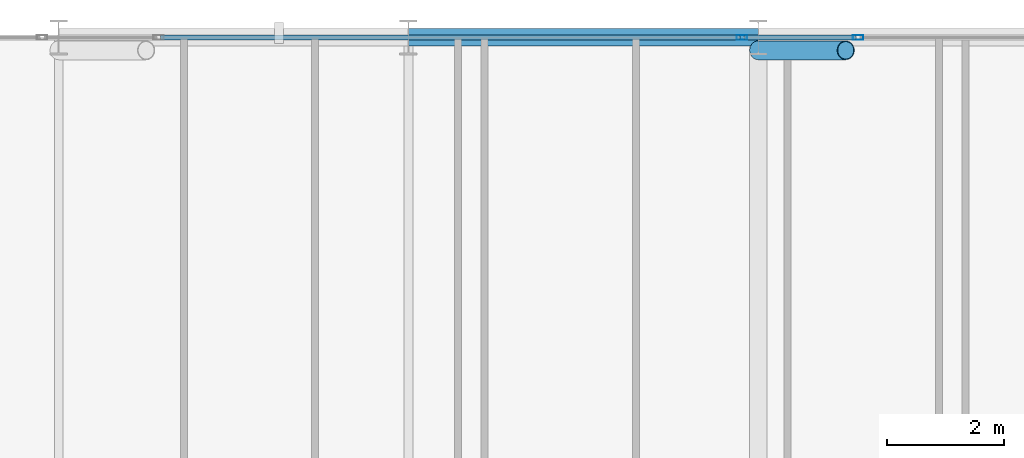
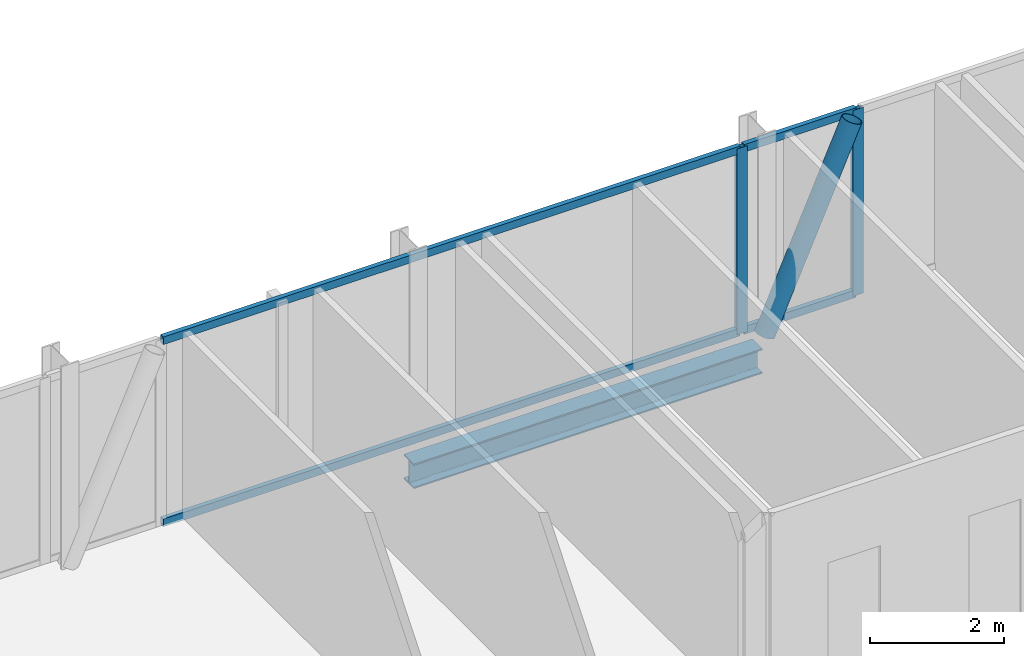
# One storey, part 17 of 30: 7 members, 1 beam, 2 elements without a shape of their own.
"""IFC4 building model written with IfcOpenShell, lengths in metres."""

from ifc_helpers import new_model, si_unit, direction, frame, origin, origin_2d, place, context, subcontext, project, spatial, hollow_rectangle, hollow_circle, i_section, extrude, material, layer, layer_set, material_profile, profile_set, type_object, element, aggregate, save


model = new_model("IFC4")

# Units and contexts
model_context = context("Model", 3, precision=1e-05, world=origin(), true_north=direction((0.0, 1.0)))
body_context = subcontext(model_context, "Body", "Model", "MODEL_VIEW")
ifc_project = project(units=[si_unit("LENGTHUNIT", "METRE"), si_unit("AREAUNIT", "SQUARE_METRE"), si_unit("VOLUMEUNIT", "CUBIC_METRE"), si_unit("PLANEANGLEUNIT", "RADIAN"), si_unit("MASSUNIT", "GRAM", prefix="KILO")], contexts=[model_context])

# Site, building, storey
site_placement = place(None, origin())
site = spatial("IfcSite", under=ifc_project, at=site_placement, CompositionType="ELEMENT")
building_placement = place(site_placement, origin())
building = spatial("IfcBuilding", under=site, at=building_placement, Name="Keshet Zoharim Tower", CompositionType="ELEMENT")
storey_placement = place(building_placement, frame((0.0, 0.0, 109.39990234375)))
storey = spatial("IfcBuildingStorey", under=building, at=storey_placement, Name="L26", CompositionType="ELEMENT", Elevation=109.39990234375)

# Beam
ifc_material_1 = material(Name="Steel S355", Category="steel")
ifc_material_profile_1 = material_profile(ifc_material_1, i_section(OverallWidth=0.300048828125, OverallDepth=0.449951171875, WebThickness=0.013916015625, FlangeThickness=0.02587890625, FilletRadius=0.027099609375, at=origin_2d()), Name="HEB450")
ifc_profile_set_1 = profile_set([ifc_material_profile_1], Name="Steel S355")
beam_type = type_object("IfcBeamType", Name="BM-WEB-HB450", PredefinedType="BEAM", material=ifc_profile_set_1)
beam_placement = place(storey_placement, frame((27.0, 53.89990234375, -0.539794921875), z_axis=(1.0, 0.0, 0.0), x_axis=(0.0, 1.0, 0.0)))
element("IfcBeam", 1, at=beam_placement, inside=storey, type_object=beam_type, Name="L26 Primary Girder X-020", PredefinedType="BEAM", context=body_context, shape_type="SweptSolid", body=[
    extrude(i_section(OverallWidth=0.300048828125, OverallDepth=0.449951171875, WebThickness=0.013916015625, FlangeThickness=0.02587890625, FilletRadius=0.027099609375, at=origin_2d()), origin(), (0.0, 0.0, 1.0), 6.0),
])

# Curtain wall, member
ifc_material_2 = material(Name="Aluminium 6063-T6", Category="aluminium")
ifc_layer = layer(ifc_material_2, 0.159912109375)
ifc_layer_set = layer_set([ifc_layer], Name="Aluminium 6063-T6")
curtain_wall_type = type_object("IfcCurtainWallType", Name="CW-SYS-03", PredefinedType="NOTDEFINED", material=ifc_layer_set)
curtain_wall_1_placement = place(storey_placement, origin())
curtain_wall_1 = element("IfcCurtainWall", 2, at=curtain_wall_1_placement, inside=storey, type_object=curtain_wall_type, Name="L26 Unitised Curtain Wall 13 Part 3", PredefinedType="NOTDEFINED")
ifc_material_profile_2 = material_profile(ifc_material_2, hollow_rectangle(XDim=0.080078125, YDim=0.179931640625, WallThickness=0.00439453125, at=origin_2d()), Name="MUL-80x180")
ifc_profile_set_2 = profile_set([ifc_material_profile_2], Name="Aluminium 6063-T6")
member_type_1 = type_object("IfcMemberType", Name="CWM-M18", PredefinedType="MULLION", material=ifc_profile_set_2)
member_1_placement = place(storey_placement, frame((32.716796875, 53.89990234375, 0.0), z_axis=(0.0, 0.0, 1.0), x_axis=(0.0, 1.0, 0.0)))
member_1 = element("IfcMember", 3, at=member_1_placement, type_object=member_type_1, Name="CW-03 mullion 2", PredefinedType="MULLION", context=body_context, shape_type="SweptSolid", body=[
    extrude(hollow_rectangle(XDim=0.080078125, YDim=0.179931640625, WallThickness=0.00439453125, at=origin_2d()), origin(), (0.0, 0.0, 1.0), 3.385009765625),
])

curtain_wall_2_placement = place(storey_placement, origin())
curtain_wall_2 = element("IfcCurtainWall", 4, at=curtain_wall_2_placement, inside=storey, type_object=curtain_wall_type, Name="L26 Unitised Curtain Wall 13 Part 4", PredefinedType="NOTDEFINED")
member_2_placement = place(storey_placement, frame((34.713134765625, 53.89990234375, 0.0), z_axis=(0.0, 0.0, 1.0), x_axis=(0.0, 1.0, 0.0)))
member_2 = element("IfcMember", 5, at=member_2_placement, type_object=member_type_1, Name="CW-03 mullion 2", PredefinedType="MULLION", context=body_context, shape_type="SweptSolid", body=[
    extrude(hollow_rectangle(XDim=0.080078125, YDim=0.179931640625, WallThickness=0.00439453125, at=origin_2d()), origin(), (0.0, 0.0, 1.0), 3.385009765625),
])

# Member
ifc_material_profile_3 = material_profile(ifc_material_2, hollow_rectangle(XDim=0.080078125, YDim=0.139892578125, WallThickness=0.00390625, at=origin_2d()), Name="TRN-80x140")
ifc_profile_set_3 = profile_set([ifc_material_profile_3], Name="Aluminium 6063-T6")
member_type_2 = type_object("IfcMemberType", Name="CWT-T14", PredefinedType="USERDEFINED", material=ifc_profile_set_3)
member_3_placement = place(storey_placement, frame((22.748046875, 53.89990234375, 0.03515625), z_axis=(1.0, 0.0, 0.0), x_axis=(0.0, 1.0, 0.0)))
member_3 = element("IfcMember", 6, at=member_3_placement, type_object=member_type_2, Name="CW-03 transom 1.1", ObjectType="TRANSOM", PredefinedType="USERDEFINED", context=body_context, shape_type="SweptSolid", body=[
    extrude(hollow_rectangle(XDim=0.080078125, YDim=0.139892578125, WallThickness=0.00390625, at=origin_2d()), origin(), (0.0, 0.0, 1.0), 9.933837890625),
])

member_4_placement = place(storey_placement, frame((22.748046875, 53.89990234375, 3.35009765625), z_axis=(1.0, 0.0, 0.0), x_axis=(0.0, 1.0, 0.0)))
member_4 = element("IfcMember", 7, at=member_4_placement, type_object=member_type_2, Name="CW-03 transom 1.2", ObjectType="TRANSOM", PredefinedType="USERDEFINED", context=body_context, shape_type="SweptSolid", body=[
    extrude(hollow_rectangle(XDim=0.080078125, YDim=0.139892578125, WallThickness=0.00390625, at=origin_2d()), origin(), (0.0, 0.0, 1.0), 9.933837890625),
])

aggregate(curtain_wall_1, [member_1, member_3, member_4])

member_5_placement = place(storey_placement, frame((32.751953125, 53.89990234375, 0.03515625), z_axis=(1.0, 0.0, 0.0), x_axis=(0.0, 1.0, 0.0)))
member_5 = element("IfcMember", 8, at=member_5_placement, type_object=member_type_2, Name="CW-03 transom 1.1", ObjectType="TRANSOM", PredefinedType="USERDEFINED", context=body_context, shape_type="SweptSolid", body=[
    extrude(hollow_rectangle(XDim=0.080078125, YDim=0.139892578125, WallThickness=0.00390625, at=origin_2d()), origin(), (0.0, 0.0, 1.0), 1.926025390625),
])

member_6_placement = place(storey_placement, frame((32.751953125, 53.89990234375, 3.35009765625), z_axis=(1.0, 0.0, 0.0), x_axis=(0.0, 1.0, 0.0)))
member_6 = element("IfcMember", 9, at=member_6_placement, type_object=member_type_2, Name="CW-03 transom 1.2", ObjectType="TRANSOM", PredefinedType="USERDEFINED", context=body_context, shape_type="SweptSolid", body=[
    extrude(hollow_rectangle(XDim=0.080078125, YDim=0.139892578125, WallThickness=0.00390625, at=origin_2d()), origin(), (0.0, 0.0, 1.0), 1.926025390625),
])

aggregate(curtain_wall_2, [member_2, member_5, member_6])

ifc_material_profile_4 = material_profile(ifc_material_1, hollow_circle(Radius=0.161865234375, WallThickness=0.012451171875, at=origin_2d()), Name="CHS323x12.5")
ifc_profile_set_4 = profile_set([ifc_material_profile_4], Name="Steel S355")
member_type_3 = type_object("IfcMemberType", Name="MB-BR-C323", PredefinedType="BRACE", material=ifc_profile_set_4)
member_7_placement = place(storey_placement, frame((33.0, 53.679931640625, 0.0), z_axis=(0.405134846829, 0.0, 0.91425694194), x_axis=(0.0, 1.0, 0.0)))
element("IfcMember", 10, at=member_7_placement, inside=storey, type_object=member_type_3, Name="L26 Perimeter Tube Brace 03", PredefinedType="BRACE", context=body_context, shape_type="SweptSolid", body=[
    extrude(hollow_circle(Radius=0.161865234375, WallThickness=0.012451171875, at=origin_2d()), origin(), (0.0, 0.0, 1.0), 3.702392578125),
])

save(model, "model.ifc")
